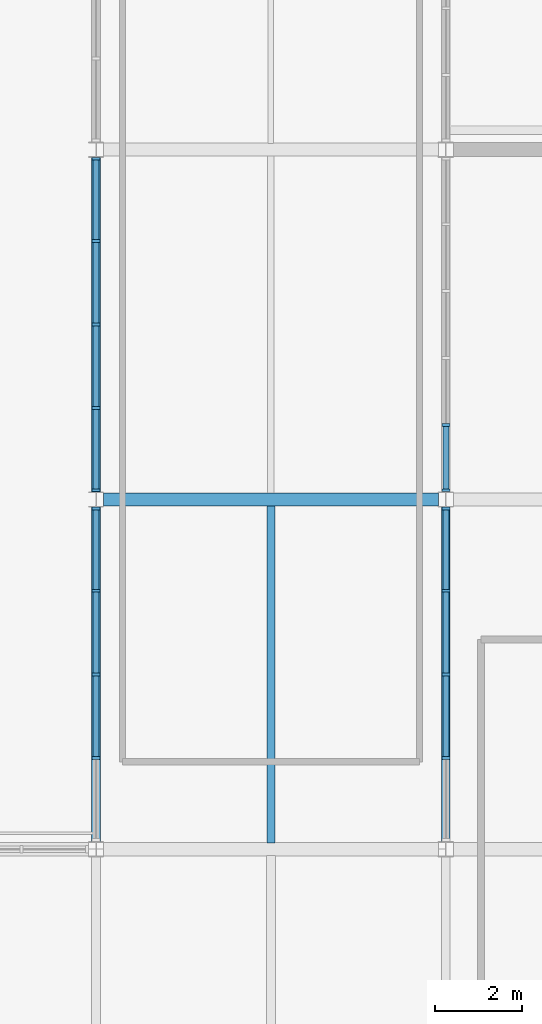
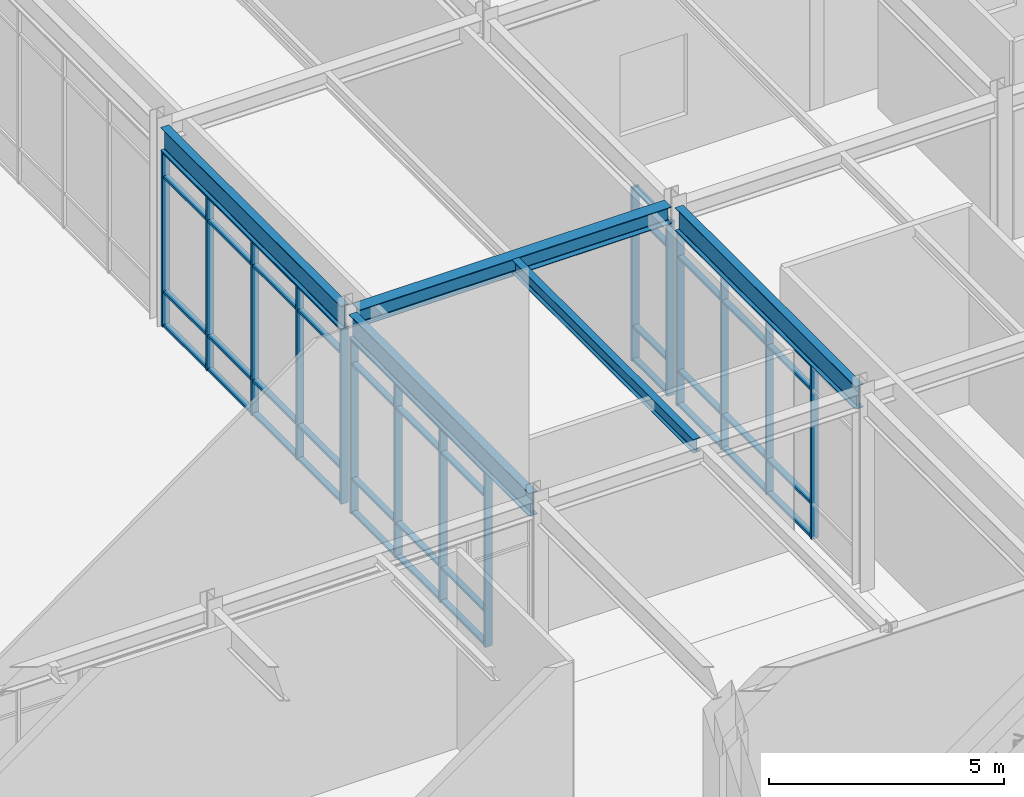
# One storey, part 36 of 119: 59 members, 5 beams, 4 elements without a shape of their own.
"""IFC4 building model written with IfcOpenShell, lengths in metres."""

from ifc_helpers import new_model, si_unit, direction, frame, origin, origin_2d, place, context, subcontext, project, spatial, rectangle, i_section, extrude, material, material_profile, profile_set, type_object, element, aggregate, save


model = new_model("IFC4")

# Units and contexts
model_context = context("Model", 3, precision=1e-05, world=origin(), true_north=direction((0.0, 1.0)))
body_context = subcontext(model_context, "Body", "Model", "MODEL_VIEW")
ifc_project = project(units=[si_unit("LENGTHUNIT", "METRE"), si_unit("AREAUNIT", "SQUARE_METRE"), si_unit("VOLUMEUNIT", "CUBIC_METRE"), si_unit("PLANEANGLEUNIT", "RADIAN"), si_unit("MASSUNIT", "GRAM", prefix="KILO")], contexts=[model_context])

# Site, building, storey
site_placement = place(None, origin())
site = spatial("IfcSite", under=ifc_project, at=site_placement, CompositionType="ELEMENT")
building_placement = place(site_placement, origin())
building = spatial("IfcBuilding", under=site, at=building_placement, Name="Zhaolan Boulevard Law Courts", CompositionType="ELEMENT")
storey_placement = place(building_placement, origin())
storey = spatial("IfcBuildingStorey", under=building, at=storey_placement, Name="L00", CompositionType="ELEMENT", Elevation=0.0)

# Curtain wall, members
ifc_material_1 = material(Name="Thermally broken aluminium and low-E glazing", Category="aluminium")
curtain_wall_type_1 = type_object("IfcCurtainWallType", Name="CURTAIN WALL M20", PredefinedType="USERDEFINED", material=ifc_material_1)
curtain_wall_1_placement = place(storey_placement, origin())
curtain_wall_1 = element("IfcCurtainWall", 1, at=curtain_wall_1_placement, inside=storey, type_object=curtain_wall_type_1, Name="Curtain Wall CW-L00-020", ObjectType="CURTAIN WALL", PredefinedType="USERDEFINED")
ifc_material_2 = material(Name="Fluorocarbon-coated aluminium 6063-T6", Category="aluminium")
ifc_material_profile_1 = material_profile(ifc_material_2, rectangle(XDim=0.179931640625, YDim=0.06494140625, at=origin_2d()), Name="AL65x180")
ifc_profile_set_1 = profile_set([ifc_material_profile_1], Name="Fluorocarbon-coated aluminium 6063-T6")
member_type_1 = type_object("IfcMemberType", Name="CWMULLION 65X180", PredefinedType="MULLION", material=ifc_profile_set_1)
member_1_placement = place(storey_placement, frame((116.0, 37.79052734375, 0.0), z_axis=(0.0, 0.0, 1.0), x_axis=(1.0, 0.0, 0.0)))
member_1 = element("IfcMember", 2, at=member_1_placement, type_object=member_type_1, Name="CW-L00-020 mullion 1", PredefinedType="MULLION", context=body_context, shape_type="SweptSolid", body=[
    extrude(rectangle(XDim=0.179931640625, YDim=0.06494140625, at=origin_2d()), origin(), (0.0, 0.0, 1.0), 4.532958984375),
])
member_2_placement = place(storey_placement, frame((116.0, 35.91162109375, 0.0), z_axis=(0.0, 0.0, 1.0), x_axis=(1.0, 0.0, 0.0)))
member_2 = element("IfcMember", 3, at=member_2_placement, type_object=member_type_1, Name="CW-L00-020 mullion 2", PredefinedType="MULLION", context=body_context, shape_type="SweptSolid", body=[
    extrude(rectangle(XDim=0.179931640625, YDim=0.06494140625, at=origin_2d()), origin(), (0.0, 0.0, 1.0), 4.532958984375),
])
member_3_placement = place(storey_placement, frame((116.0, 34.0, 0.0), z_axis=(0.0, 0.0, 1.0), x_axis=(1.0, 0.0, 0.0)))
member_3 = element("IfcMember", 4, at=member_3_placement, type_object=member_type_1, Name="CW-L00-020 mullion 3", PredefinedType="MULLION", context=body_context, shape_type="SweptSolid", body=[
    extrude(rectangle(XDim=0.179931640625, YDim=0.06494140625, at=origin_2d()), origin(), (0.0, 0.0, 1.0), 4.532958984375),
])
member_4_placement = place(storey_placement, frame((116.0, 32.08837890625, 0.0), z_axis=(0.0, 0.0, 1.0), x_axis=(1.0, 0.0, 0.0)))
member_4 = element("IfcMember", 5, at=member_4_placement, type_object=member_type_1, Name="CW-L00-020 mullion 4", PredefinedType="MULLION", context=body_context, shape_type="SweptSolid", body=[
    extrude(rectangle(XDim=0.179931640625, YDim=0.06494140625, at=origin_2d()), origin(), (0.0, 0.0, 1.0), 4.532958984375),
])

ifc_material_3 = material(Name="Thermally broken aluminium and low-E glazing", Category="aluminium")
curtain_wall_type_2 = type_object("IfcCurtainWallType", Name="CURTAIN WALL M21", PredefinedType="USERDEFINED", material=ifc_material_3)
curtain_wall_2_placement = place(storey_placement, origin())
curtain_wall_2 = element("IfcCurtainWall", 6, at=curtain_wall_2_placement, inside=storey, type_object=curtain_wall_type_2, Name="Curtain Wall CW-L00-021", ObjectType="CURTAIN WALL", PredefinedType="USERDEFINED")
member_5_placement = place(storey_placement, frame((116.0, 45.79052734375, 0.0), z_axis=(0.0, 0.0, 1.0), x_axis=(1.0, 0.0, 0.0)))
member_5 = element("IfcMember", 7, at=member_5_placement, type_object=member_type_1, Name="CW-L00-021 mullion 1", PredefinedType="MULLION", context=body_context, shape_type="SweptSolid", body=[
    extrude(rectangle(XDim=0.179931640625, YDim=0.06494140625, at=origin_2d()), origin(), (0.0, 0.0, 1.0), 4.532958984375),
])
member_6_placement = place(storey_placement, frame((116.0, 43.91162109375, 0.0), z_axis=(0.0, 0.0, 1.0), x_axis=(1.0, 0.0, 0.0)))
member_6 = element("IfcMember", 8, at=member_6_placement, type_object=member_type_1, Name="CW-L00-021 mullion 2", PredefinedType="MULLION", context=body_context, shape_type="SweptSolid", body=[
    extrude(rectangle(XDim=0.179931640625, YDim=0.06494140625, at=origin_2d()), origin(), (0.0, 0.0, 1.0), 4.532958984375),
])
member_7_placement = place(storey_placement, frame((116.0, 42.0, 0.0), z_axis=(0.0, 0.0, 1.0), x_axis=(1.0, 0.0, 0.0)))
member_7 = element("IfcMember", 9, at=member_7_placement, type_object=member_type_1, Name="CW-L00-021 mullion 3", PredefinedType="MULLION", context=body_context, shape_type="SweptSolid", body=[
    extrude(rectangle(XDim=0.179931640625, YDim=0.06494140625, at=origin_2d()), origin(), (0.0, 0.0, 1.0), 4.532958984375),
])
member_8_placement = place(storey_placement, frame((116.0, 40.08837890625, 0.0), z_axis=(0.0, 0.0, 1.0), x_axis=(1.0, 0.0, 0.0)))
member_8 = element("IfcMember", 10, at=member_8_placement, type_object=member_type_1, Name="CW-L00-021 mullion 4", PredefinedType="MULLION", context=body_context, shape_type="SweptSolid", body=[
    extrude(rectangle(XDim=0.179931640625, YDim=0.06494140625, at=origin_2d()), origin(), (0.0, 0.0, 1.0), 4.532958984375),
])
member_9_placement = place(storey_placement, frame((116.0, 38.20947265625, 0.0), z_axis=(0.0, 0.0, 1.0), x_axis=(1.0, 0.0, 0.0)))
member_9 = element("IfcMember", 11, at=member_9_placement, type_object=member_type_1, Name="CW-L00-021 mullion 5", PredefinedType="MULLION", context=body_context, shape_type="SweptSolid", body=[
    extrude(rectangle(XDim=0.179931640625, YDim=0.06494140625, at=origin_2d()), origin(), (0.0, 0.0, 1.0), 4.532958984375),
])

ifc_material_4 = material(Name="Thermally broken aluminium and low-E glazing", Category="aluminium")
curtain_wall_type_3 = type_object("IfcCurtainWallType", Name="CURTAIN WALL M24", PredefinedType="USERDEFINED", material=ifc_material_4)
curtain_wall_3_placement = place(storey_placement, origin())
curtain_wall_3 = element("IfcCurtainWall", 12, at=curtain_wall_3_placement, inside=storey, type_object=curtain_wall_type_3, Name="Curtain Wall CW-L00-024", ObjectType="CURTAIN WALL", PredefinedType="USERDEFINED")
member_10_placement = place(storey_placement, frame((124.0, 32.08837890625, 0.0), z_axis=(0.0, 0.0, 1.0), x_axis=(-1.0, 0.0, 0.0)))
member_10 = element("IfcMember", 13, at=member_10_placement, type_object=member_type_1, Name="CW-L00-024 mullion 2", PredefinedType="MULLION", context=body_context, shape_type="SweptSolid", body=[
    extrude(rectangle(XDim=0.179931640625, YDim=0.06494140625, at=origin_2d()), origin(), (0.0, 0.0, 1.0), 4.5029296875),
])
member_11_placement = place(storey_placement, frame((124.0, 34.0, 0.0), z_axis=(0.0, 0.0, 1.0), x_axis=(-1.0, 0.0, 0.0)))
member_11 = element("IfcMember", 14, at=member_11_placement, type_object=member_type_1, Name="CW-L00-024 mullion 3", PredefinedType="MULLION", context=body_context, shape_type="SweptSolid", body=[
    extrude(rectangle(XDim=0.179931640625, YDim=0.06494140625, at=origin_2d()), origin(), (0.0, 0.0, 1.0), 4.5029296875),
])
member_12_placement = place(storey_placement, frame((124.0, 35.91162109375, 0.0), z_axis=(0.0, 0.0, 1.0), x_axis=(-1.0, 0.0, 0.0)))
member_12 = element("IfcMember", 15, at=member_12_placement, type_object=member_type_1, Name="CW-L00-024 mullion 4", PredefinedType="MULLION", context=body_context, shape_type="SweptSolid", body=[
    extrude(rectangle(XDim=0.179931640625, YDim=0.06494140625, at=origin_2d()), origin(), (0.0, 0.0, 1.0), 4.5029296875),
])
member_13_placement = place(storey_placement, frame((124.0, 37.79052734375, 0.0), z_axis=(0.0, 0.0, 1.0), x_axis=(-1.0, 0.0, 0.0)))
member_13 = element("IfcMember", 16, at=member_13_placement, type_object=member_type_1, Name="CW-L00-024 mullion 5", PredefinedType="MULLION", context=body_context, shape_type="SweptSolid", body=[
    extrude(rectangle(XDim=0.179931640625, YDim=0.06494140625, at=origin_2d()), origin(), (0.0, 0.0, 1.0), 4.5029296875),
])

ifc_material_5 = material(Name="Thermally broken aluminium and low-E glazing", Category="aluminium")
curtain_wall_type_4 = type_object("IfcCurtainWallType", Name="CURTAIN WALL M1", PredefinedType="USERDEFINED", material=ifc_material_5)
curtain_wall_4_placement = place(storey_placement, origin())
curtain_wall_4 = element("IfcCurtainWall", 17, at=curtain_wall_4_placement, inside=storey, type_object=curtain_wall_type_4, Name="Curtain Wall CW-L00-025", ObjectType="CURTAIN WALL", PredefinedType="USERDEFINED")
member_14_placement = place(storey_placement, frame((124.0, 38.20947265625, 0.0), z_axis=(0.0, 0.0, 1.0), x_axis=(-1.0, 0.0, 0.0)))
member_14 = element("IfcMember", 18, at=member_14_placement, type_object=member_type_1, Name="CW-L00-025 mullion 1", PredefinedType="MULLION", context=body_context, shape_type="SweptSolid", body=[
    extrude(rectangle(XDim=0.179931640625, YDim=0.06494140625, at=origin_2d()), origin(), (0.0, 0.0, 1.0), 4.5029296875),
])
member_15_placement = place(storey_placement, frame((124.0, 39.706298828125, 0.0), z_axis=(0.0, 0.0, 1.0), x_axis=(-1.0, 0.0, 0.0)))
member_15 = element("IfcMember", 19, at=member_15_placement, type_object=member_type_1, Name="CW-L00-025 mullion 2", PredefinedType="MULLION", context=body_context, shape_type="SweptSolid", body=[
    extrude(rectangle(XDim=0.179931640625, YDim=0.06494140625, at=origin_2d()), origin(), (0.0, 0.0, 1.0), 4.5029296875),
])

# Member
ifc_material_6 = material(Name="Fluorocarbon-coated aluminium 6063-T6", Category="aluminium")
ifc_material_profile_2 = material_profile(ifc_material_6, rectangle(XDim=0.139892578125, YDim=0.06494140625, at=origin_2d()), Name="AL65x140")
ifc_profile_set_2 = profile_set([ifc_material_profile_2], Name="Fluorocarbon-coated aluminium 6063-T6")
member_type_2 = type_object("IfcMemberType", Name="CWTRANSOM 65X140", PredefinedType="USERDEFINED", material=ifc_profile_set_2)
member_16_placement = place(storey_placement, frame((116.0, 37.758056640625, 0.032470703125), z_axis=(0.0, -1.0, 0.0), x_axis=(1.0, 0.0, 0.0)))
member_16 = element("IfcMember", 20, at=member_16_placement, type_object=member_type_2, Name="CW-L00-020 transom 1.1", ObjectType="TRANSOM", PredefinedType="USERDEFINED", context=body_context, shape_type="SweptSolid", body=[
    extrude(rectangle(XDim=0.139892578125, YDim=0.06494140625, at=origin_2d()), origin(), (0.0, 0.0, 1.0), 1.81396484375),
])

member_17_placement = place(storey_placement, frame((116.0, 37.758056640625, 0.89990234375), z_axis=(0.0, -1.0, 0.0), x_axis=(1.0, 0.0, 0.0)))
member_17 = element("IfcMember", 21, at=member_17_placement, type_object=member_type_2, Name="CW-L00-020 transom 1.2", ObjectType="TRANSOM", PredefinedType="USERDEFINED", context=body_context, shape_type="SweptSolid", body=[
    extrude(rectangle(XDim=0.139892578125, YDim=0.06494140625, at=origin_2d()), origin(), (0.0, 0.0, 1.0), 1.81396484375),
])

member_18_placement = place(storey_placement, frame((116.0, 37.758056640625, 3.883056640625), z_axis=(0.0, -1.0, 0.0), x_axis=(1.0, 0.0, 0.0)))
member_18 = element("IfcMember", 22, at=member_18_placement, type_object=member_type_2, Name="CW-L00-020 transom 1.3", ObjectType="TRANSOM", PredefinedType="USERDEFINED", context=body_context, shape_type="SweptSolid", body=[
    extrude(rectangle(XDim=0.139892578125, YDim=0.06494140625, at=origin_2d()), origin(), (0.0, 0.0, 1.0), 1.81396484375),
])

member_19_placement = place(storey_placement, frame((116.0, 37.758056640625, 4.50048828125), z_axis=(0.0, -1.0, 0.0), x_axis=(1.0, 0.0, 0.0)))
member_19 = element("IfcMember", 23, at=member_19_placement, type_object=member_type_2, Name="CW-L00-020 transom 1.4", ObjectType="TRANSOM", PredefinedType="USERDEFINED", context=body_context, shape_type="SweptSolid", body=[
    extrude(rectangle(XDim=0.139892578125, YDim=0.06494140625, at=origin_2d()), origin(), (0.0, 0.0, 1.0), 1.81396484375),
])

member_20_placement = place(storey_placement, frame((116.0, 35.87890625, 0.032470703125), z_axis=(0.0, -1.0, 0.0), x_axis=(1.0, 0.0, 0.0)))
member_20 = element("IfcMember", 24, at=member_20_placement, type_object=member_type_2, Name="CW-L00-020 transom 2.1", ObjectType="TRANSOM", PredefinedType="USERDEFINED", context=body_context, shape_type="SweptSolid", body=[
    extrude(rectangle(XDim=0.139892578125, YDim=0.06494140625, at=origin_2d()), origin(), (0.0, 0.0, 1.0), 1.846435546875),
])

member_21_placement = place(storey_placement, frame((116.0, 35.87890625, 0.89990234375), z_axis=(0.0, -1.0, 0.0), x_axis=(1.0, 0.0, 0.0)))
member_21 = element("IfcMember", 25, at=member_21_placement, type_object=member_type_2, Name="CW-L00-020 transom 2.2", ObjectType="TRANSOM", PredefinedType="USERDEFINED", context=body_context, shape_type="SweptSolid", body=[
    extrude(rectangle(XDim=0.139892578125, YDim=0.06494140625, at=origin_2d()), origin(), (0.0, 0.0, 1.0), 1.846435546875),
])

member_22_placement = place(storey_placement, frame((116.0, 35.87890625, 3.883056640625), z_axis=(0.0, -1.0, 0.0), x_axis=(1.0, 0.0, 0.0)))
member_22 = element("IfcMember", 26, at=member_22_placement, type_object=member_type_2, Name="CW-L00-020 transom 2.3", ObjectType="TRANSOM", PredefinedType="USERDEFINED", context=body_context, shape_type="SweptSolid", body=[
    extrude(rectangle(XDim=0.139892578125, YDim=0.06494140625, at=origin_2d()), origin(), (0.0, 0.0, 1.0), 1.846435546875),
])

member_23_placement = place(storey_placement, frame((116.0, 35.87890625, 4.50048828125), z_axis=(0.0, -1.0, 0.0), x_axis=(1.0, 0.0, 0.0)))
member_23 = element("IfcMember", 27, at=member_23_placement, type_object=member_type_2, Name="CW-L00-020 transom 2.4", ObjectType="TRANSOM", PredefinedType="USERDEFINED", context=body_context, shape_type="SweptSolid", body=[
    extrude(rectangle(XDim=0.139892578125, YDim=0.06494140625, at=origin_2d()), origin(), (0.0, 0.0, 1.0), 1.846435546875),
])

member_24_placement = place(storey_placement, frame((116.0, 33.967529296875, 0.032470703125), z_axis=(0.0, -1.0, 0.0), x_axis=(1.0, 0.0, 0.0)))
member_24 = element("IfcMember", 28, at=member_24_placement, type_object=member_type_2, Name="CW-L00-020 transom 3.1", ObjectType="TRANSOM", PredefinedType="USERDEFINED", context=body_context, shape_type="SweptSolid", body=[
    extrude(rectangle(XDim=0.139892578125, YDim=0.06494140625, at=origin_2d()), origin(), (0.0, 0.0, 1.0), 1.846435546875),
])

member_25_placement = place(storey_placement, frame((116.0, 33.967529296875, 0.89990234375), z_axis=(0.0, -1.0, 0.0), x_axis=(1.0, 0.0, 0.0)))
member_25 = element("IfcMember", 29, at=member_25_placement, type_object=member_type_2, Name="CW-L00-020 transom 3.2", ObjectType="TRANSOM", PredefinedType="USERDEFINED", context=body_context, shape_type="SweptSolid", body=[
    extrude(rectangle(XDim=0.139892578125, YDim=0.06494140625, at=origin_2d()), origin(), (0.0, 0.0, 1.0), 1.846435546875),
])

member_26_placement = place(storey_placement, frame((116.0, 33.967529296875, 3.883056640625), z_axis=(0.0, -1.0, 0.0), x_axis=(1.0, 0.0, 0.0)))
member_26 = element("IfcMember", 30, at=member_26_placement, type_object=member_type_2, Name="CW-L00-020 transom 3.3", ObjectType="TRANSOM", PredefinedType="USERDEFINED", context=body_context, shape_type="SweptSolid", body=[
    extrude(rectangle(XDim=0.139892578125, YDim=0.06494140625, at=origin_2d()), origin(), (0.0, 0.0, 1.0), 1.846435546875),
])

member_27_placement = place(storey_placement, frame((116.0, 33.967529296875, 4.50048828125), z_axis=(0.0, -1.0, 0.0), x_axis=(1.0, 0.0, 0.0)))
member_27 = element("IfcMember", 31, at=member_27_placement, type_object=member_type_2, Name="CW-L00-020 transom 3.4", ObjectType="TRANSOM", PredefinedType="USERDEFINED", context=body_context, shape_type="SweptSolid", body=[
    extrude(rectangle(XDim=0.139892578125, YDim=0.06494140625, at=origin_2d()), origin(), (0.0, 0.0, 1.0), 1.846435546875),
])

aggregate(curtain_wall_1, [member_1, member_2, member_3, member_4, member_16, member_17, member_18, member_19, member_20, member_21, member_22, member_23, member_24, member_25, member_26, member_27])

member_28_placement = place(storey_placement, frame((116.0, 45.758056640625, 0.032470703125), z_axis=(0.0, -1.0, 0.0), x_axis=(1.0, 0.0, 0.0)))
member_28 = element("IfcMember", 32, at=member_28_placement, type_object=member_type_2, Name="CW-L00-021 transom 1.1", ObjectType="TRANSOM", PredefinedType="USERDEFINED", context=body_context, shape_type="SweptSolid", body=[
    extrude(rectangle(XDim=0.139892578125, YDim=0.06494140625, at=origin_2d()), origin(), (0.0, 0.0, 1.0), 1.81396484375),
])

member_29_placement = place(storey_placement, frame((116.0, 45.758056640625, 0.89990234375), z_axis=(0.0, -1.0, 0.0), x_axis=(1.0, 0.0, 0.0)))
member_29 = element("IfcMember", 33, at=member_29_placement, type_object=member_type_2, Name="CW-L00-021 transom 1.2", ObjectType="TRANSOM", PredefinedType="USERDEFINED", context=body_context, shape_type="SweptSolid", body=[
    extrude(rectangle(XDim=0.139892578125, YDim=0.06494140625, at=origin_2d()), origin(), (0.0, 0.0, 1.0), 1.81396484375),
])

member_30_placement = place(storey_placement, frame((116.0, 45.758056640625, 3.883056640625), z_axis=(0.0, -1.0, 0.0), x_axis=(1.0, 0.0, 0.0)))
member_30 = element("IfcMember", 34, at=member_30_placement, type_object=member_type_2, Name="CW-L00-021 transom 1.3", ObjectType="TRANSOM", PredefinedType="USERDEFINED", context=body_context, shape_type="SweptSolid", body=[
    extrude(rectangle(XDim=0.139892578125, YDim=0.06494140625, at=origin_2d()), origin(), (0.0, 0.0, 1.0), 1.81396484375),
])

member_31_placement = place(storey_placement, frame((116.0, 45.758056640625, 4.50048828125), z_axis=(0.0, -1.0, 0.0), x_axis=(1.0, 0.0, 0.0)))
member_31 = element("IfcMember", 35, at=member_31_placement, type_object=member_type_2, Name="CW-L00-021 transom 1.4", ObjectType="TRANSOM", PredefinedType="USERDEFINED", context=body_context, shape_type="SweptSolid", body=[
    extrude(rectangle(XDim=0.139892578125, YDim=0.06494140625, at=origin_2d()), origin(), (0.0, 0.0, 1.0), 1.81396484375),
])

member_32_placement = place(storey_placement, frame((116.0, 43.87890625, 0.032470703125), z_axis=(0.0, -1.0, 0.0), x_axis=(1.0, 0.0, 0.0)))
member_32 = element("IfcMember", 36, at=member_32_placement, type_object=member_type_2, Name="CW-L00-021 transom 2.1", ObjectType="TRANSOM", PredefinedType="USERDEFINED", context=body_context, shape_type="SweptSolid", body=[
    extrude(rectangle(XDim=0.139892578125, YDim=0.06494140625, at=origin_2d()), origin(), (0.0, 0.0, 1.0), 1.846435546875),
])

member_33_placement = place(storey_placement, frame((116.0, 43.87890625, 0.89990234375), z_axis=(0.0, -1.0, 0.0), x_axis=(1.0, 0.0, 0.0)))
member_33 = element("IfcMember", 37, at=member_33_placement, type_object=member_type_2, Name="CW-L00-021 transom 2.2", ObjectType="TRANSOM", PredefinedType="USERDEFINED", context=body_context, shape_type="SweptSolid", body=[
    extrude(rectangle(XDim=0.139892578125, YDim=0.06494140625, at=origin_2d()), origin(), (0.0, 0.0, 1.0), 1.846435546875),
])

member_34_placement = place(storey_placement, frame((116.0, 43.87890625, 3.883056640625), z_axis=(0.0, -1.0, 0.0), x_axis=(1.0, 0.0, 0.0)))
member_34 = element("IfcMember", 38, at=member_34_placement, type_object=member_type_2, Name="CW-L00-021 transom 2.3", ObjectType="TRANSOM", PredefinedType="USERDEFINED", context=body_context, shape_type="SweptSolid", body=[
    extrude(rectangle(XDim=0.139892578125, YDim=0.06494140625, at=origin_2d()), origin(), (0.0, 0.0, 1.0), 1.846435546875),
])

member_35_placement = place(storey_placement, frame((116.0, 43.87890625, 4.50048828125), z_axis=(0.0, -1.0, 0.0), x_axis=(1.0, 0.0, 0.0)))
member_35 = element("IfcMember", 39, at=member_35_placement, type_object=member_type_2, Name="CW-L00-021 transom 2.4", ObjectType="TRANSOM", PredefinedType="USERDEFINED", context=body_context, shape_type="SweptSolid", body=[
    extrude(rectangle(XDim=0.139892578125, YDim=0.06494140625, at=origin_2d()), origin(), (0.0, 0.0, 1.0), 1.846435546875),
])

member_36_placement = place(storey_placement, frame((116.0, 41.967529296875, 0.032470703125), z_axis=(0.0, -1.0, 0.0), x_axis=(1.0, 0.0, 0.0)))
member_36 = element("IfcMember", 40, at=member_36_placement, type_object=member_type_2, Name="CW-L00-021 transom 3.1", ObjectType="TRANSOM", PredefinedType="USERDEFINED", context=body_context, shape_type="SweptSolid", body=[
    extrude(rectangle(XDim=0.139892578125, YDim=0.06494140625, at=origin_2d()), origin(), (0.0, 0.0, 1.0), 1.846435546875),
])

member_37_placement = place(storey_placement, frame((116.0, 41.967529296875, 0.89990234375), z_axis=(0.0, -1.0, 0.0), x_axis=(1.0, 0.0, 0.0)))
member_37 = element("IfcMember", 41, at=member_37_placement, type_object=member_type_2, Name="CW-L00-021 transom 3.2", ObjectType="TRANSOM", PredefinedType="USERDEFINED", context=body_context, shape_type="SweptSolid", body=[
    extrude(rectangle(XDim=0.139892578125, YDim=0.06494140625, at=origin_2d()), origin(), (0.0, 0.0, 1.0), 1.846435546875),
])

member_38_placement = place(storey_placement, frame((116.0, 41.967529296875, 3.883056640625), z_axis=(0.0, -1.0, 0.0), x_axis=(1.0, 0.0, 0.0)))
member_38 = element("IfcMember", 42, at=member_38_placement, type_object=member_type_2, Name="CW-L00-021 transom 3.3", ObjectType="TRANSOM", PredefinedType="USERDEFINED", context=body_context, shape_type="SweptSolid", body=[
    extrude(rectangle(XDim=0.139892578125, YDim=0.06494140625, at=origin_2d()), origin(), (0.0, 0.0, 1.0), 1.846435546875),
])

member_39_placement = place(storey_placement, frame((116.0, 41.967529296875, 4.50048828125), z_axis=(0.0, -1.0, 0.0), x_axis=(1.0, 0.0, 0.0)))
member_39 = element("IfcMember", 43, at=member_39_placement, type_object=member_type_2, Name="CW-L00-021 transom 3.4", ObjectType="TRANSOM", PredefinedType="USERDEFINED", context=body_context, shape_type="SweptSolid", body=[
    extrude(rectangle(XDim=0.139892578125, YDim=0.06494140625, at=origin_2d()), origin(), (0.0, 0.0, 1.0), 1.846435546875),
])

member_40_placement = place(storey_placement, frame((116.0, 40.055908203125, 0.032470703125), z_axis=(0.0, -1.0, 0.0), x_axis=(1.0, 0.0, 0.0)))
member_40 = element("IfcMember", 44, at=member_40_placement, type_object=member_type_2, Name="CW-L00-021 transom 4.1", ObjectType="TRANSOM", PredefinedType="USERDEFINED", context=body_context, shape_type="SweptSolid", body=[
    extrude(rectangle(XDim=0.139892578125, YDim=0.06494140625, at=origin_2d()), origin(), (0.0, 0.0, 1.0), 1.81396484375),
])

member_41_placement = place(storey_placement, frame((116.0, 40.055908203125, 0.89990234375), z_axis=(0.0, -1.0, 0.0), x_axis=(1.0, 0.0, 0.0)))
member_41 = element("IfcMember", 45, at=member_41_placement, type_object=member_type_2, Name="CW-L00-021 transom 4.2", ObjectType="TRANSOM", PredefinedType="USERDEFINED", context=body_context, shape_type="SweptSolid", body=[
    extrude(rectangle(XDim=0.139892578125, YDim=0.06494140625, at=origin_2d()), origin(), (0.0, 0.0, 1.0), 1.81396484375),
])

member_42_placement = place(storey_placement, frame((116.0, 40.055908203125, 3.883056640625), z_axis=(0.0, -1.0, 0.0), x_axis=(1.0, 0.0, 0.0)))
member_42 = element("IfcMember", 46, at=member_42_placement, type_object=member_type_2, Name="CW-L00-021 transom 4.3", ObjectType="TRANSOM", PredefinedType="USERDEFINED", context=body_context, shape_type="SweptSolid", body=[
    extrude(rectangle(XDim=0.139892578125, YDim=0.06494140625, at=origin_2d()), origin(), (0.0, 0.0, 1.0), 1.81396484375),
])

member_43_placement = place(storey_placement, frame((116.0, 40.055908203125, 4.50048828125), z_axis=(0.0, -1.0, 0.0), x_axis=(1.0, 0.0, 0.0)))
member_43 = element("IfcMember", 47, at=member_43_placement, type_object=member_type_2, Name="CW-L00-021 transom 4.4", ObjectType="TRANSOM", PredefinedType="USERDEFINED", context=body_context, shape_type="SweptSolid", body=[
    extrude(rectangle(XDim=0.139892578125, YDim=0.06494140625, at=origin_2d()), origin(), (0.0, 0.0, 1.0), 1.81396484375),
])

aggregate(curtain_wall_2, [member_5, member_6, member_7, member_8, member_9, member_28, member_29, member_30, member_31, member_32, member_33, member_34, member_35, member_36, member_37, member_38, member_39, member_40, member_41, member_42, member_43])

member_44_placement = place(storey_placement, frame((124.0, 32.12109375, 0.032470703125), z_axis=(0.0, 1.0, 0.0), x_axis=(-1.0, 0.0, 0.0)))
member_44 = element("IfcMember", 48, at=member_44_placement, type_object=member_type_2, Name="CW-L00-024 transom 2.1", ObjectType="TRANSOM", PredefinedType="USERDEFINED", context=body_context, shape_type="SweptSolid", body=[
    extrude(rectangle(XDim=0.139892578125, YDim=0.06494140625, at=origin_2d()), origin(), (0.0, 0.0, 1.0), 1.846435546875),
])

member_45_placement = place(storey_placement, frame((124.0, 32.12109375, 0.89990234375), z_axis=(0.0, 1.0, 0.0), x_axis=(-1.0, 0.0, 0.0)))
member_45 = element("IfcMember", 49, at=member_45_placement, type_object=member_type_2, Name="CW-L00-024 transom 2.2", ObjectType="TRANSOM", PredefinedType="USERDEFINED", context=body_context, shape_type="SweptSolid", body=[
    extrude(rectangle(XDim=0.139892578125, YDim=0.06494140625, at=origin_2d()), origin(), (0.0, 0.0, 1.0), 1.846435546875),
])

member_46_placement = place(storey_placement, frame((124.0, 32.12109375, 3.85302734375), z_axis=(0.0, 1.0, 0.0), x_axis=(-1.0, 0.0, 0.0)))
member_46 = element("IfcMember", 50, at=member_46_placement, type_object=member_type_2, Name="CW-L00-024 transom 2.3", ObjectType="TRANSOM", PredefinedType="USERDEFINED", context=body_context, shape_type="SweptSolid", body=[
    extrude(rectangle(XDim=0.139892578125, YDim=0.06494140625, at=origin_2d()), origin(), (0.0, 0.0, 1.0), 1.846435546875),
])

member_47_placement = place(storey_placement, frame((124.0, 32.12109375, 4.470458984375), z_axis=(0.0, 1.0, 0.0), x_axis=(-1.0, 0.0, 0.0)))
member_47 = element("IfcMember", 51, at=member_47_placement, type_object=member_type_2, Name="CW-L00-024 transom 2.4", ObjectType="TRANSOM", PredefinedType="USERDEFINED", context=body_context, shape_type="SweptSolid", body=[
    extrude(rectangle(XDim=0.139892578125, YDim=0.06494140625, at=origin_2d()), origin(), (0.0, 0.0, 1.0), 1.846435546875),
])

member_48_placement = place(storey_placement, frame((124.0, 34.032470703125, 0.032470703125), z_axis=(0.0, 1.0, 0.0), x_axis=(-1.0, 0.0, 0.0)))
member_48 = element("IfcMember", 52, at=member_48_placement, type_object=member_type_2, Name="CW-L00-024 transom 3.1", ObjectType="TRANSOM", PredefinedType="USERDEFINED", context=body_context, shape_type="SweptSolid", body=[
    extrude(rectangle(XDim=0.139892578125, YDim=0.06494140625, at=origin_2d()), origin(), (0.0, 0.0, 1.0), 1.846435546875),
])

member_49_placement = place(storey_placement, frame((124.0, 34.032470703125, 0.89990234375), z_axis=(0.0, 1.0, 0.0), x_axis=(-1.0, 0.0, 0.0)))
member_49 = element("IfcMember", 53, at=member_49_placement, type_object=member_type_2, Name="CW-L00-024 transom 3.2", ObjectType="TRANSOM", PredefinedType="USERDEFINED", context=body_context, shape_type="SweptSolid", body=[
    extrude(rectangle(XDim=0.139892578125, YDim=0.06494140625, at=origin_2d()), origin(), (0.0, 0.0, 1.0), 1.846435546875),
])

member_50_placement = place(storey_placement, frame((124.0, 34.032470703125, 3.85302734375), z_axis=(0.0, 1.0, 0.0), x_axis=(-1.0, 0.0, 0.0)))
member_50 = element("IfcMember", 54, at=member_50_placement, type_object=member_type_2, Name="CW-L00-024 transom 3.3", ObjectType="TRANSOM", PredefinedType="USERDEFINED", context=body_context, shape_type="SweptSolid", body=[
    extrude(rectangle(XDim=0.139892578125, YDim=0.06494140625, at=origin_2d()), origin(), (0.0, 0.0, 1.0), 1.846435546875),
])

member_51_placement = place(storey_placement, frame((124.0, 34.032470703125, 4.470458984375), z_axis=(0.0, 1.0, 0.0), x_axis=(-1.0, 0.0, 0.0)))
member_51 = element("IfcMember", 55, at=member_51_placement, type_object=member_type_2, Name="CW-L00-024 transom 3.4", ObjectType="TRANSOM", PredefinedType="USERDEFINED", context=body_context, shape_type="SweptSolid", body=[
    extrude(rectangle(XDim=0.139892578125, YDim=0.06494140625, at=origin_2d()), origin(), (0.0, 0.0, 1.0), 1.846435546875),
])

member_52_placement = place(storey_placement, frame((124.0, 35.944091796875, 0.032470703125), z_axis=(0.0, 1.0, 0.0), x_axis=(-1.0, 0.0, 0.0)))
member_52 = element("IfcMember", 56, at=member_52_placement, type_object=member_type_2, Name="CW-L00-024 transom 4.1", ObjectType="TRANSOM", PredefinedType="USERDEFINED", context=body_context, shape_type="SweptSolid", body=[
    extrude(rectangle(XDim=0.139892578125, YDim=0.06494140625, at=origin_2d()), origin(), (0.0, 0.0, 1.0), 1.81396484375),
])

member_53_placement = place(storey_placement, frame((124.0, 35.944091796875, 0.89990234375), z_axis=(0.0, 1.0, 0.0), x_axis=(-1.0, 0.0, 0.0)))
member_53 = element("IfcMember", 57, at=member_53_placement, type_object=member_type_2, Name="CW-L00-024 transom 4.2", ObjectType="TRANSOM", PredefinedType="USERDEFINED", context=body_context, shape_type="SweptSolid", body=[
    extrude(rectangle(XDim=0.139892578125, YDim=0.06494140625, at=origin_2d()), origin(), (0.0, 0.0, 1.0), 1.81396484375),
])

member_54_placement = place(storey_placement, frame((124.0, 35.944091796875, 3.85302734375), z_axis=(0.0, 1.0, 0.0), x_axis=(-1.0, 0.0, 0.0)))
member_54 = element("IfcMember", 58, at=member_54_placement, type_object=member_type_2, Name="CW-L00-024 transom 4.3", ObjectType="TRANSOM", PredefinedType="USERDEFINED", context=body_context, shape_type="SweptSolid", body=[
    extrude(rectangle(XDim=0.139892578125, YDim=0.06494140625, at=origin_2d()), origin(), (0.0, 0.0, 1.0), 1.81396484375),
])

member_55_placement = place(storey_placement, frame((124.0, 35.944091796875, 4.470458984375), z_axis=(0.0, 1.0, 0.0), x_axis=(-1.0, 0.0, 0.0)))
member_55 = element("IfcMember", 59, at=member_55_placement, type_object=member_type_2, Name="CW-L00-024 transom 4.4", ObjectType="TRANSOM", PredefinedType="USERDEFINED", context=body_context, shape_type="SweptSolid", body=[
    extrude(rectangle(XDim=0.139892578125, YDim=0.06494140625, at=origin_2d()), origin(), (0.0, 0.0, 1.0), 1.81396484375),
])

aggregate(curtain_wall_3, [member_10, member_11, member_12, member_13, member_44, member_45, member_46, member_47, member_48, member_49, member_50, member_51, member_52, member_53, member_54, member_55])

member_56_placement = place(storey_placement, frame((124.0, 38.241943359375, 0.032470703125), z_axis=(0.0, 1.0, 0.0), x_axis=(-1.0, 0.0, 0.0)))
member_56 = element("IfcMember", 60, at=member_56_placement, type_object=member_type_2, Name="CW-L00-025 transom 1.1", ObjectType="TRANSOM", PredefinedType="USERDEFINED", context=body_context, shape_type="SweptSolid", body=[
    extrude(rectangle(XDim=0.139892578125, YDim=0.06494140625, at=origin_2d()), origin(), (0.0, 0.0, 1.0), 1.431640625),
])

member_57_placement = place(storey_placement, frame((124.0, 38.241943359375, 0.89990234375), z_axis=(0.0, 1.0, 0.0), x_axis=(-1.0, 0.0, 0.0)))
member_57 = element("IfcMember", 61, at=member_57_placement, type_object=member_type_2, Name="CW-L00-025 transom 1.2", ObjectType="TRANSOM", PredefinedType="USERDEFINED", context=body_context, shape_type="SweptSolid", body=[
    extrude(rectangle(XDim=0.139892578125, YDim=0.06494140625, at=origin_2d()), origin(), (0.0, 0.0, 1.0), 1.431640625),
])

member_58_placement = place(storey_placement, frame((124.0, 38.241943359375, 3.85302734375), z_axis=(0.0, 1.0, 0.0), x_axis=(-1.0, 0.0, 0.0)))
member_58 = element("IfcMember", 62, at=member_58_placement, type_object=member_type_2, Name="CW-L00-025 transom 1.3", ObjectType="TRANSOM", PredefinedType="USERDEFINED", context=body_context, shape_type="SweptSolid", body=[
    extrude(rectangle(XDim=0.139892578125, YDim=0.06494140625, at=origin_2d()), origin(), (0.0, 0.0, 1.0), 1.431640625),
])

member_59_placement = place(storey_placement, frame((124.0, 38.241943359375, 4.470458984375), z_axis=(0.0, 1.0, 0.0), x_axis=(-1.0, 0.0, 0.0)))
member_59 = element("IfcMember", 63, at=member_59_placement, type_object=member_type_2, Name="CW-L00-025 transom 1.4", ObjectType="TRANSOM", PredefinedType="USERDEFINED", context=body_context, shape_type="SweptSolid", body=[
    extrude(rectangle(XDim=0.139892578125, YDim=0.06494140625, at=origin_2d()), origin(), (0.0, 0.0, 1.0), 1.431640625),
])

aggregate(curtain_wall_4, [member_14, member_15, member_56, member_57, member_58, member_59])

# Beams
ifc_material_7 = material(Name="Structural steel Q355B", Category="steel")
ifc_material_profile_3 = material_profile(ifc_material_7, i_section(OverallWidth=0.300048828125, OverallDepth=0.43994140625, WebThickness=0.010986328125, FlangeThickness=0.01806640625, FilletRadius=0.02001953125, at=origin_2d()), Name="HM440x300")
ifc_profile_set_3 = profile_set([ifc_material_profile_3], Name="Structural steel Q355B")
beam_type_1 = type_object("IfcBeamType", Name="GIRDER HM440", PredefinedType="BEAM", material=ifc_profile_set_3)
beam_1_placement = place(storey_placement, frame((116.1708984375, 38.0, 4.927978515625), z_axis=(1.0, 0.0, 0.0), x_axis=(0.0, 1.0, 0.0)))
element("IfcBeam", 64, at=beam_1_placement, inside=storey, type_object=beam_type_1, Name="Beam BX-L01-15-16-F", PredefinedType="BEAM", context=body_context, shape_type="SweptSolid", body=[
    extrude(i_section(OverallWidth=0.300048828125, OverallDepth=0.43994140625, WebThickness=0.010986328125, FlangeThickness=0.01806640625, FilletRadius=0.02001953125, at=origin_2d()), origin(), (0.0, 0.0, 1.0), 7.658203125),
])
ifc_material_8 = material(Name="Structural steel Q355B", Category="steel")
ifc_material_profile_4 = material_profile(ifc_material_8, i_section(OverallWidth=0.199951171875, OverallDepth=0.60009765625, WebThickness=0.010986328125, FlangeThickness=0.01708984375, FilletRadius=0.02001953125, at=origin_2d()), Name="HN600x200")
ifc_profile_set_4 = profile_set([ifc_material_profile_4], Name="Structural steel Q355B")
beam_type_2 = type_object("IfcBeamType", Name="GIRDER HN600", PredefinedType="BEAM", material=ifc_profile_set_4)
for number, where, z_axis, x_axis, name in (
    (65, (116.0, 30.1708984375, 4.847900390625), (0.0, 1.0, 0.0), (-1.0, 0.0, 0.0), "Beam BY-L01-15-E-F"),
    (66, (116.0, 38.1708984375, 4.847900390625), (0.0, 1.0, 0.0), (-1.0, 0.0, 0.0), "Beam BY-L01-15-F-G"),
    (67, (124.0, 30.1708984375, 4.818115234375), (0.0, 1.0, 0.0), (-1.0, 0.0, 0.0), "Beam BY-L01-16-E-F"),
):
    element("IfcBeam", number, at=place(storey_placement, frame(where, z_axis=z_axis, x_axis=x_axis)), inside=storey, type_object=beam_type_2, Name=name, PredefinedType="BEAM", context=body_context, shape_type="SweptSolid", body=[
        extrude(i_section(OverallWidth=0.199951171875, OverallDepth=0.60009765625, WebThickness=0.010986328125, FlangeThickness=0.01708984375, FilletRadius=0.02001953125, at=origin_2d()), origin(), (0.0, 0.0, 1.0), 7.658203125),
    ])
ifc_material_9 = material(Name="Structural steel Q355B", Category="steel")
ifc_material_profile_5 = material_profile(ifc_material_9, i_section(OverallWidth=0.175048828125, OverallDepth=0.35009765625, WebThickness=0.007080078125, FlangeThickness=0.010986328125, FilletRadius=0.012939453125, at=origin_2d()), Name="HN350x175")
ifc_profile_set_5 = profile_set([ifc_material_profile_5], Name="Structural steel Q355B")
beam_type_3 = type_object("IfcBeamType", Name="JOIST HN350", PredefinedType="JOIST", material=ifc_profile_set_5)
beam_2_placement = place(storey_placement, frame((120.0, 30.14599609375, 4.972900390625), z_axis=(0.0, 1.0, 0.0), x_axis=(-1.0, 0.0, 0.0)))
element("IfcBeam", 68, at=beam_2_placement, inside=storey, type_object=beam_type_3, Name="Composite Joist J-L01-15E", PredefinedType="JOIST", context=body_context, shape_type="SweptSolid", body=[
    extrude(i_section(OverallWidth=0.175048828125, OverallDepth=0.35009765625, WebThickness=0.007080078125, FlangeThickness=0.010986328125, FilletRadius=0.012939453125, at=origin_2d()), origin(), (0.0, 0.0, 1.0), 7.7080078125),
])

save(model, "model.ifc")
